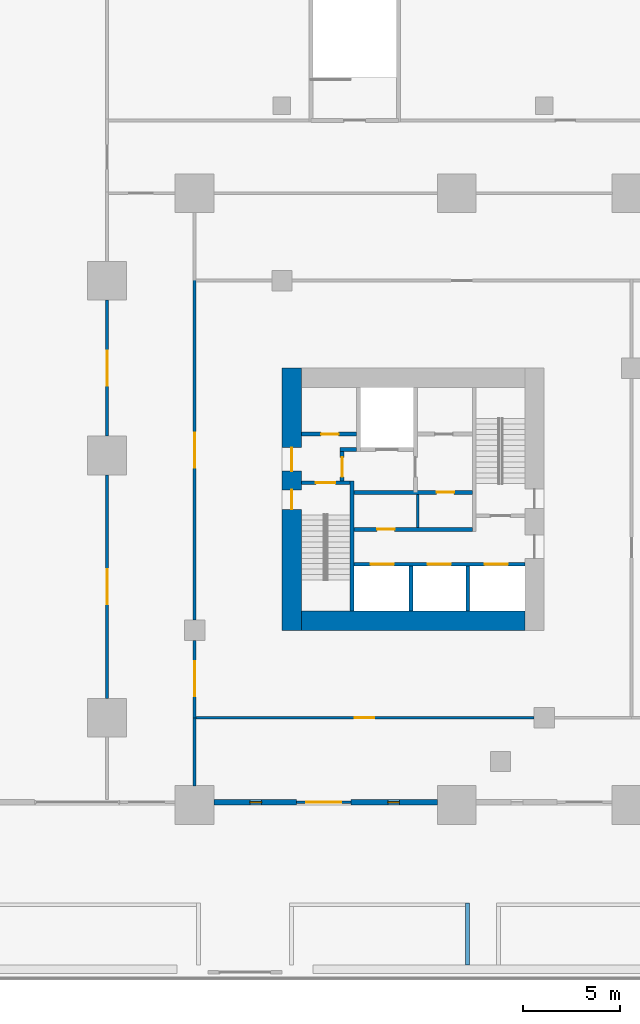
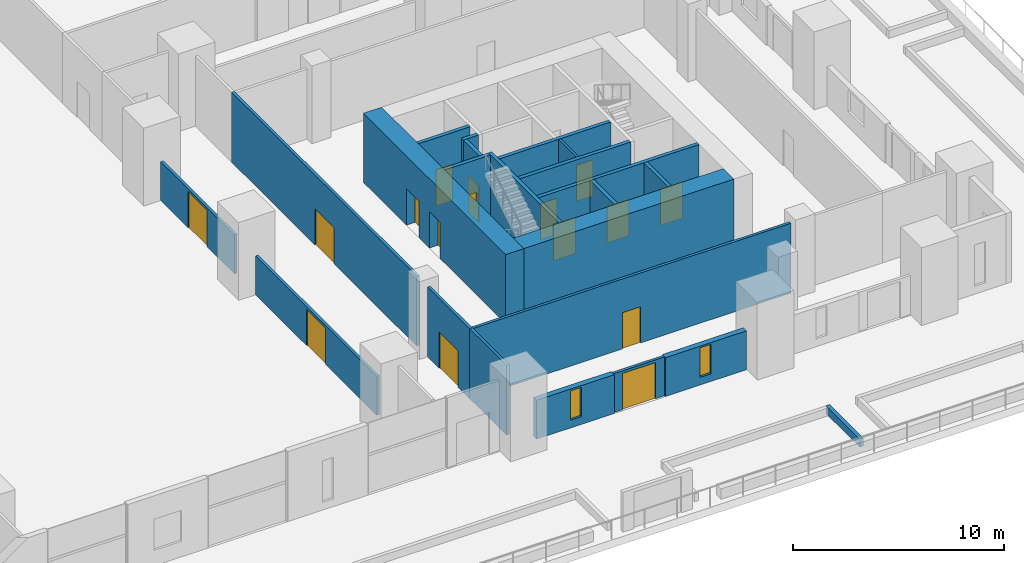
# One storey, part 21 of 26: 23 walls, 16 doors, 2 windows, 18 openings.
"""IFC4 building model written with IfcOpenShell, lengths in metres."""

from ifc_helpers import new_model, si_unit, direction, frame, frame_2d, origin, place, context, subcontext, project, spatial, rectangle, extrude, material, layer, layer_set, type_object, element, fill, save


model = new_model("IFC4")

# Units and contexts
model_context = context("Model", 3, precision=1e-05, world=origin(), true_north=direction((0.0, 1.0)))
body_context = subcontext(model_context, "Body", "Model", "MODEL_VIEW")
ifc_project = project(units=[si_unit("LENGTHUNIT", "METRE"), si_unit("AREAUNIT", "SQUARE_METRE"), si_unit("VOLUMEUNIT", "CUBIC_METRE"), si_unit("PLANEANGLEUNIT", "RADIAN"), si_unit("MASSUNIT", "GRAM", prefix="KILO")], contexts=[model_context])

# Site, building, storey
site_placement = place(None, origin())
site = spatial("IfcSite", under=ifc_project, at=site_placement, CompositionType="ELEMENT")
building_placement = place(site_placement, origin())
building = spatial("IfcBuilding", under=site, at=building_placement, Name="Altepetl Exchange Towers", CompositionType="ELEMENT")
storey_placement = place(building_placement, frame((0.0, 0.0, 16.5)))
storey = spatial("IfcBuildingStorey", under=building, at=storey_placement, Name="L03 Podium terrace", CompositionType="ELEMENT", Elevation=16.5)

# Wall
ifc_material_1 = material(Name="Concrete C70/85", Category="concrete")
ifc_layer_1 = layer(ifc_material_1, 1.0)
ifc_layer_set_1 = layer_set([ifc_layer_1], Name="Concrete C70/85")
wall_type_1 = type_object("IfcWallType", Name="Core wall 1000 reinforced concrete", PredefinedType="SHEAR", material=ifc_layer_set_1)
wall_1_placement = place(storey_placement, frame((104.5, 36.5, 0.0)))
element("IfcWall", 1, at=wall_1_placement, inside=storey, type_object=wall_type_1, Name="wall:B:L03:K-coreS", PredefinedType="SHEAR", context=body_context, shape_type="SweptSolid", body=[
    extrude(rectangle(XDim=11.5, YDim=1.0, at=frame_2d((5.75, 0.0))), origin(), (0.0, 0.0, 1.0), 4.0),
])

# Wall, openings, doors
wall_2_placement = place(storey_placement, frame((104.0, 36.0, 0.0), z_axis=(0.0, 0.0, 1.0), x_axis=(0.0, 1.0, 0.0)))
wall_2 = element("IfcWall", 2, at=wall_2_placement, inside=storey, type_object=wall_type_1, Name="wall:B:L03:K-coreW", PredefinedType="SHEAR", context=body_context, shape_type="SweptSolid", body=[
    extrude(rectangle(XDim=13.5, YDim=1.0, at=frame_2d((6.75, 0.0))), origin(), (0.0, 0.0, 1.0), 4.0),
])
opening_1_placement = place(wall_2_placement, frame((8.199951171875, 0.0, 0.0)))
opening_1 = element("IfcOpeningElement", 3, at=opening_1_placement, cuts=wall_2, Name="Opening L03.B60", PredefinedType="OPENING", context=body_context, shape_type="SweptSolid", body=[
    extrude(rectangle(XDim=1.199951171875, YDim=2.10009765625, at=frame_2d((0.60009765625, 1.050048828125))), frame((0.0, 0.510009765625, 0.0), z_axis=(0.0, -1.0, 0.0), x_axis=(1.0, 0.0, 0.0)), (0.0, 0.0, 1.0), 1.02001953125),
])
opening_2_placement = place(wall_2_placement, frame((6.22509765625, 0.0, 0.0)))
opening_2 = element("IfcOpeningElement", 4, at=opening_2_placement, cuts=wall_2, Name="Opening L03.B63", PredefinedType="OPENING", context=body_context, shape_type="SweptSolid", body=[
    extrude(rectangle(XDim=1.0, YDim=2.10009765625, at=frame_2d((0.5, 1.050048828125))), frame((0.0, 0.510009765625, 0.0), z_axis=(0.0, -1.0, 0.0), x_axis=(1.0, 0.0, 0.0)), (0.0, 0.0, 1.0), 1.02001953125),
])
ifc_material_2 = material(Name="Steel and timber fire door", Category="steel")
door_type_1 = type_object("IfcDoorType", Name="Fire door 1000 x 2100 stair and lobby", OperationType="SINGLE_SWING_LEFT", PredefinedType="DOOR", material=ifc_material_2)
door_1_placement = place(opening_2_placement, frame((1.0, 0.0, 0.0), x_axis=(-1.0, 0.0, 0.0)))
door_1 = element("IfcDoor", 5, at=door_1_placement, inside=storey, type_object=door_type_1, Name="door:B:L03:K-dS1x", OperationType="SINGLE_SWING_RIGHT", OverallHeight=2.10009765625, OverallWidth=1.0, PredefinedType="DOOR", context=body_context, shape_type="SweptSolid", body=[
    extrude(rectangle(XDim=1.0, YDim=2.10009765625, at=frame_2d((0.5, 1.050048828125))), frame((0.0, 0.02490234375, 0.0), z_axis=(0.0, -1.0, 0.0), x_axis=(1.0, 0.0, 0.0)), (0.0, 0.0, 1.0), 0.050048828125),
])
fill(opening_2, door_1)
door_type_2 = type_object("IfcDoorType", Name="Fire door 1200 x 2100 lobby entry", OperationType="SINGLE_SWING_LEFT", PredefinedType="DOOR", material=ifc_material_2)
door_2_placement = place(opening_1_placement, frame((1.199951171875, 0.0, 0.0), x_axis=(-1.0, 0.0, 0.0)))
door_2 = element("IfcDoor", 6, at=door_2_placement, inside=storey, type_object=door_type_2, Name="door:B:L03:K-dLNW", OperationType="SINGLE_SWING_RIGHT", OverallHeight=2.10009765625, OverallWidth=1.199951171875, PredefinedType="DOOR", context=body_context, shape_type="SweptSolid", body=[
    extrude(rectangle(XDim=1.199951171875, YDim=2.10009765625, at=frame_2d((0.60009765625, 1.050048828125))), frame((0.0, 0.02490234375, 0.0), z_axis=(0.0, -1.0, 0.0), x_axis=(1.0, 0.0, 0.0)), (0.0, 0.0, 1.0), 0.050048828125),
])
fill(opening_1, door_2)

# Wall, opening, door
ifc_material_3 = material(Name="Aluminium composite cladding", Category="aluminium")
ifc_layer_2 = layer(ifc_material_3, 0.14990234375)
ifc_layer_set_2 = layer_set([ifc_layer_2], Name="Aluminium composite cladding")
wall_type_2 = type_object("IfcWallType", Name="Infill wall 150 aluminium panel", PredefinedType="SOLIDWALL", material=ifc_layer_set_2)
wall_3_placement = place(storey_placement, frame((104.25, 27.14990234375, 0.0)))
wall_3 = element("IfcWall", 7, at=wall_3_placement, inside=storey, type_object=wall_type_2, Name="Door bay wall", PredefinedType="SOLIDWALL", context=body_context, shape_type="SweptSolid", body=[
    extrude(rectangle(XDim=2.800048828125, YDim=0.14990234375, at=frame_2d((1.39990234375, 0.0))), origin(), (0.0, 0.0, 1.0), 2.25),
])
opening_3_placement = place(wall_3_placement, frame((0.5, 0.0, 0.0)))
opening_3 = element("IfcOpeningElement", 8, at=opening_3_placement, cuts=wall_3, Name="Opening L03.E12", PredefinedType="OPENING", context=body_context, shape_type="SweptSolid", body=[
    extrude(rectangle(XDim=1.800048828125, YDim=2.10009765625, at=frame_2d((0.89990234375, 1.050048828125))), frame((0.0, 0.0849609375, 0.0), z_axis=(0.0, -1.0, 0.0), x_axis=(1.0, 0.0, 0.0)), (0.0, 0.0, 1.0), 0.169921875),
])
ifc_material_4 = material(Name="Aluminium 6063-T6 and glass", Category="aluminium")
door_type_3 = type_object("IfcDoorType", Name="Glazed door pair 1800x2100", OperationType="DOUBLE_DOOR_DOUBLE_SWING", PredefinedType="NOTDEFINED", material=ifc_material_4)
door_3_placement = place(opening_3_placement, frame((1.800048828125, 0.0, 0.0), x_axis=(-1.0, 0.0, 0.0)))
door_3 = element("IfcDoor", 9, at=door_3_placement, inside=storey, type_object=door_type_3, Name="Terrace door", OperationType="DOUBLE_DOOR_DOUBLE_SWING", OverallHeight=2.10009765625, OverallWidth=1.800048828125, PredefinedType="NOTDEFINED", context=body_context, shape_type="SweptSolid", body=[
    extrude(rectangle(XDim=1.800048828125, YDim=2.10009765625, at=frame_2d((0.89990234375, 1.050048828125))), frame((0.0, 0.02490234375, 0.0), z_axis=(0.0, -1.0, 0.0), x_axis=(1.0, 0.0, 0.0)), (0.0, 0.0, 1.0), 0.050048828125),
])
fill(opening_3, door_3)

# Wall
ifc_material_5 = material(Name="Concrete blockwork", Category="masonry")
ifc_layer_3 = layer(ifc_material_5, 0.199951171875)
ifc_layer_set_3 = layer_set([ifc_layer_3], Name="Concrete blockwork")
wall_type_3 = type_object("IfcWallType", Name="Lobby wall 200 blockwork", PredefinedType="PARTITIONING", material=ifc_layer_set_3)
wall_4_placement = place(storey_placement, frame((106.5, 45.300048828125, 0.0)))
element("IfcWall", 10, at=wall_4_placement, inside=storey, type_object=wall_type_3, Name="wall:B:L03:K-ffNw", PredefinedType="PARTITIONING", context=body_context, shape_type="SweptSolid", body=[
    extrude(rectangle(XDim=0.833251953125, YDim=0.199951171875, at=frame_2d((0.41650390625, 0.0))), origin(), (0.0, 0.0, 1.0), 4.0),
])

# Wall, opening, door
wall_5_placement = place(storey_placement, frame((106.60009765625, 43.699951171875, 0.0), z_axis=(0.0, 0.0, 1.0), x_axis=(0.0, 1.0, 0.0)))
wall_5 = element("IfcWall", 11, at=wall_5_placement, inside=storey, type_object=wall_type_3, Name="wall:B:L03:K-ffW", PredefinedType="PARTITIONING", context=body_context, shape_type="SweptSolid", body=[
    extrude(rectangle(XDim=1.5, YDim=0.199951171875, at=frame_2d((0.75, 0.0))), origin(), (0.0, 0.0, 1.0), 4.0),
])
opening_4_placement = place(wall_5_placement, frame((0.199951171875, 0.0, 0.0)))
opening_4 = element("IfcOpeningElement", 12, at=opening_4_placement, cuts=wall_5, Name="Opening L03.B67", PredefinedType="OPENING", context=body_context, shape_type="SweptSolid", body=[
    extrude(rectangle(XDim=1.0, YDim=2.10009765625, at=frame_2d((0.5, 1.050048828125))), frame((0.0, 0.10986328125, 0.0), z_axis=(0.0, -1.0, 0.0), x_axis=(1.0, 0.0, 0.0)), (0.0, 0.0, 1.0), 0.219970703125),
])
door_4_placement = place(opening_4_placement, frame((1.0, 0.0, 0.0), x_axis=(-1.0, 0.0, 0.0)))
door_4 = element("IfcDoor", 13, at=door_4_placement, inside=storey, type_object=door_type_1, Name="door:B:L03:K-dffW", OperationType="SINGLE_SWING_LEFT", OverallHeight=2.10009765625, OverallWidth=1.0, PredefinedType="DOOR", context=body_context, shape_type="SweptSolid", body=[
    extrude(rectangle(XDim=1.0, YDim=2.10009765625, at=frame_2d((0.5, 1.050048828125))), frame((0.0, 0.02490234375, 0.0), z_axis=(0.0, -1.0, 0.0), x_axis=(1.0, 0.0, 0.0)), (0.0, 0.0, 1.0), 0.050048828125),
])
fill(opening_4, door_4)

wall_6_placement = place(storey_placement, frame((107.199951171875, 43.10009765625, 0.0)))
wall_6 = element("IfcWall", 14, at=wall_6_placement, inside=storey, type_object=wall_type_3, Name="wall:B:L03:K-zoneN", PredefinedType="PARTITIONING", context=body_context, shape_type="SweptSolid", body=[
    extrude(rectangle(XDim=6.10009765625, YDim=0.199951171875, at=frame_2d((3.050048828125, 0.0))), origin(), (0.0, 0.0, 1.0), 4.0),
])
opening_5_placement = place(wall_6_placement, frame((4.258544921875, 0.0, 0.0)))
opening_5 = element("IfcOpeningElement", 15, at=opening_5_placement, cuts=wall_6, Name="Opening L03.B71", PredefinedType="OPENING", context=body_context, shape_type="SweptSolid", body=[
    extrude(rectangle(XDim=0.89990234375, YDim=2.10009765625, at=frame_2d((0.449951171875, 1.050048828125))), frame((0.0, 0.10986328125, 0.0), z_axis=(0.0, -1.0, 0.0), x_axis=(1.0, 0.0, 0.0)), (0.0, 0.0, 1.0), 0.219970703125),
])
door_type_4 = type_object("IfcDoorType", Name="Fire door 900 x 2100 service room", OperationType="SINGLE_SWING_LEFT", PredefinedType="DOOR", material=ifc_material_2)
door_5_placement = place(opening_5_placement, frame((0.89990234375, 0.0, 0.0), x_axis=(-1.0, 0.0, 0.0)))
door_5 = element("IfcDoor", 16, at=door_5_placement, inside=storey, type_object=door_type_4, Name="door:B:L03:K-dz2", OperationType="SINGLE_SWING_LEFT", OverallHeight=2.10009765625, OverallWidth=0.89990234375, PredefinedType="DOOR", context=body_context, shape_type="SweptSolid", body=[
    extrude(rectangle(XDim=0.89990234375, YDim=2.10009765625, at=frame_2d((0.449951171875, 1.050048828125))), frame((0.0, 0.02490234375, 0.0), z_axis=(0.0, -1.0, 0.0), x_axis=(1.0, 0.0, 0.0)), (0.0, 0.0, 1.0), 0.050048828125),
])
fill(opening_5, door_5)

wall_7_placement = place(storey_placement, frame((107.199951171875, 41.199951171875, 0.0)))
wall_7 = element("IfcWall", 17, at=wall_7_placement, inside=storey, type_object=wall_type_3, Name="wall:B:L03:K-zoneS", PredefinedType="PARTITIONING", context=body_context, shape_type="SweptSolid", body=[
    extrude(rectangle(XDim=6.10009765625, YDim=0.199951171875, at=frame_2d((3.050048828125, 0.0))), origin(), (0.0, 0.0, 1.0), 4.0),
])
opening_6_placement = place(wall_7_placement, frame((1.199951171875, 0.0, 0.0)))
opening_6 = element("IfcOpeningElement", 18, at=opening_6_placement, cuts=wall_7, Name="Opening L03.B70", PredefinedType="OPENING", context=body_context, shape_type="SweptSolid", body=[
    extrude(rectangle(XDim=0.89990234375, YDim=2.10009765625, at=frame_2d((0.449951171875, 1.050048828125))), frame((0.0, 0.10986328125, 0.0), z_axis=(0.0, -1.0, 0.0), x_axis=(1.0, 0.0, 0.0)), (0.0, 0.0, 1.0), 0.219970703125),
])
door_6_placement = place(opening_6_placement, origin())
door_6 = element("IfcDoor", 19, at=door_6_placement, inside=storey, type_object=door_type_4, Name="door:B:L03:K-dz1", OperationType="SINGLE_SWING_RIGHT", OverallHeight=2.10009765625, OverallWidth=0.89990234375, PredefinedType="DOOR", context=body_context, shape_type="SweptSolid", body=[
    extrude(rectangle(XDim=0.89990234375, YDim=2.10009765625, at=frame_2d((0.449951171875, 1.050048828125))), frame((0.0, 0.02490234375, 0.0), z_axis=(0.0, -1.0, 0.0), x_axis=(1.0, 0.0, 0.0)), (0.0, 0.0, 1.0), 0.050048828125),
])
fill(opening_6, door_6)

# Walls
ifc_material_6 = material(Name="Gypsum board on steel studs", Category="steel")
ifc_layer_4 = layer(ifc_material_6, 0.125)
ifc_layer_set_4 = layer_set([ifc_layer_4], Name="Gypsum board on steel studs")
wall_type_4 = type_object("IfcWallType", Name="Partition 125 gypsum board on steel studs", PredefinedType="PARTITIONING", material=ifc_layer_set_4)
wall_8_placement = place(storey_placement, frame((110.5, 41.300048828125, 0.0), z_axis=(0.0, 0.0, 1.0), x_axis=(0.0, 1.0, 0.0)))
element("IfcWall", 20, at=wall_8_placement, inside=storey, type_object=wall_type_4, Name="wall:B:L03:K-zp1", PredefinedType="PARTITIONING", context=body_context, shape_type="SweptSolid", body=[
    extrude(rectangle(XDim=1.699951171875, YDim=0.125, at=frame_2d((0.85009765625, 0.0))), origin(), (0.0, 0.0, 1.0), 4.0),
])
ifc_material_7 = material(Name="Reinforced concrete C35/45", Category="concrete")
ifc_layer_5 = layer(ifc_material_7, 0.199951171875)
ifc_layer_set_5 = layer_set([ifc_layer_5], Name="Reinforced concrete C35/45")
wall_type_5 = type_object("IfcWallType", Name="Planting bed curb 200", PredefinedType="SOLIDWALL", material=ifc_layer_set_5)
wall_9_placement = place(storey_placement, frame((113.041748046875, 18.77490234375, 0.0), z_axis=(0.0, 0.0, 1.0), x_axis=(0.0, 1.0, 0.0)))
element("IfcWall", 21, at=wall_9_placement, inside=storey, type_object=wall_type_5, Name="wall:P:L03:CB01e", PredefinedType="SOLIDWALL", context=body_context, shape_type="SweptSolid", body=[
    extrude(rectangle(XDim=3.2001953125, YDim=0.199951171875, at=frame_2d((1.60009765625, 0.0))), origin(), (0.0, 0.0, 1.0), 0.449951171875),
])

# Wall, opening, door
ifc_layer_6 = layer(ifc_material_6, 0.14990234375)
ifc_layer_set_6 = layer_set([ifc_layer_6], Name="Gypsum board on steel studs")
wall_type_6 = type_object("IfcWallType", Name="Podium partition 150", PredefinedType="PARTITIONING", material=ifc_layer_set_6)
wall_10_placement = place(storey_placement, frame((94.5, 32.4951171875, 0.0), z_axis=(0.0, 0.0, 1.0), x_axis=(0.0, 1.0, 0.0)))
wall_10 = element("IfcWall", 22, at=wall_10_placement, inside=storey, type_object=wall_type_6, Name="wall:P:L03:P007", PredefinedType="PARTITIONING", context=body_context, shape_type="SweptSolid", body=[
    extrude(rectangle(XDim=11.509765625, YDim=0.14990234375, at=frame_2d((5.7548828125, 0.0))), origin(), (0.0, 0.0, 1.0), 2.25),
])
opening_7_placement = place(wall_10_placement, frame((4.85009765625, 0.0, 0.0)))
opening_7 = element("IfcOpeningElement", 23, at=opening_7_placement, cuts=wall_10, Name="Opening L03.P014", PredefinedType="OPENING", context=body_context, shape_type="SweptSolid", body=[
    extrude(rectangle(XDim=1.800048828125, YDim=2.10009765625, at=frame_2d((0.89990234375, 1.050048828125))), frame((0.0, 0.0849609375, 0.0), z_axis=(0.0, -1.0, 0.0), x_axis=(1.0, 0.0, 0.0)), (0.0, 0.0, 1.0), 0.169921875),
])
ifc_material_8 = material(Name="Glazed aluminium and steel", Category="steel")
door_type_5 = type_object("IfcDoorType", Name="Podium fire door 1800 x 2100 double leaf", OperationType="DOUBLE_DOOR_SINGLE_SWING", PredefinedType="DOOR", material=ifc_material_8)
door_7_placement = place(opening_7_placement, frame((1.800048828125, 0.0, 0.0), x_axis=(-1.0, 0.0, 0.0)))
door_7 = element("IfcDoor", 24, at=door_7_placement, inside=storey, type_object=door_type_5, Name="door:P:L03:014", OperationType="DOUBLE_DOOR_SINGLE_SWING", OverallHeight=2.10009765625, OverallWidth=1.800048828125, PredefinedType="DOOR", context=body_context, shape_type="SweptSolid", body=[
    extrude(rectangle(XDim=1.800048828125, YDim=2.10009765625, at=frame_2d((0.89990234375, 1.050048828125))), frame((0.0, 0.02490234375, 0.0), z_axis=(0.0, -1.0, 0.0), x_axis=(1.0, 0.0, 0.0)), (0.0, 0.0, 1.0), 0.050048828125),
])
fill(opening_7, door_7)

wall_11_placement = place(storey_placement, frame((94.5, 45.9951171875, 0.0), z_axis=(0.0, 0.0, 1.0), x_axis=(0.0, 1.0, 0.0)))
wall_11 = element("IfcWall", 25, at=wall_11_placement, inside=storey, type_object=wall_type_6, Name="wall:P:L03:P008", PredefinedType="PARTITIONING", context=body_context, shape_type="SweptSolid", body=[
    extrude(rectangle(XDim=7.009765625, YDim=0.14990234375, at=frame_2d((3.5048828125, 0.0))), origin(), (0.0, 0.0, 1.0), 2.25),
])
opening_8_placement = place(wall_11_placement, frame((2.60009765625, 0.0, 0.0)))
opening_8 = element("IfcOpeningElement", 26, at=opening_8_placement, cuts=wall_11, Name="Opening L03.P015", PredefinedType="OPENING", context=body_context, shape_type="SweptSolid", body=[
    extrude(rectangle(XDim=1.800048828125, YDim=2.10009765625, at=frame_2d((0.89990234375, 1.050048828125))), frame((0.0, 0.0849609375, 0.0), z_axis=(0.0, -1.0, 0.0), x_axis=(1.0, 0.0, 0.0)), (0.0, 0.0, 1.0), 0.169921875),
])
door_8_placement = place(opening_8_placement, frame((1.800048828125, 0.0, 0.0), x_axis=(-1.0, 0.0, 0.0)))
door_8 = element("IfcDoor", 27, at=door_8_placement, inside=storey, type_object=door_type_5, Name="door:P:L03:015", OperationType="DOUBLE_DOOR_SINGLE_SWING", OverallHeight=2.10009765625, OverallWidth=1.800048828125, PredefinedType="DOOR", context=body_context, shape_type="SweptSolid", body=[
    extrude(rectangle(XDim=1.800048828125, YDim=2.10009765625, at=frame_2d((0.89990234375, 1.050048828125))), frame((0.0, 0.02490234375, 0.0), z_axis=(0.0, -1.0, 0.0), x_axis=(1.0, 0.0, 0.0)), (0.0, 0.0, 1.0), 0.050048828125),
])
fill(opening_8, door_8)

wall_12_placement = place(storey_placement, frame((99.0, 31.425048828125, 0.0), z_axis=(0.0, 0.0, 1.0), x_axis=(0.0, 1.0, 0.0)))
wall_12 = element("IfcWall", 28, at=wall_12_placement, inside=storey, type_object=wall_type_6, Name="wall:P:L03:P033", PredefinedType="PARTITIONING", context=body_context, shape_type="SweptSolid", body=[
    extrude(rectangle(XDim=4.054931640625, YDim=0.14990234375, at=frame_2d((2.02734375, 0.0))), origin(), (0.0, 0.0, 1.0), 4.050048828125),
])
opening_9_placement = place(wall_12_placement, frame((1.175048828125, 0.0, 0.0)))
opening_9 = element("IfcOpeningElement", 29, at=opening_9_placement, cuts=wall_12, Name="Opening L03.P020", PredefinedType="OPENING", context=body_context, shape_type="SweptSolid", body=[
    extrude(rectangle(XDim=1.800048828125, YDim=2.10009765625, at=frame_2d((0.89990234375, 1.050048828125))), frame((0.0, 0.0849609375, 0.0), z_axis=(0.0, -1.0, 0.0), x_axis=(1.0, 0.0, 0.0)), (0.0, 0.0, 1.0), 0.169921875),
])
door_9_placement = place(opening_9_placement, origin())
door_9 = element("IfcDoor", 30, at=door_9_placement, inside=storey, type_object=door_type_5, Name="door:P:L03:020", OperationType="DOUBLE_DOOR_SINGLE_SWING", OverallHeight=2.10009765625, OverallWidth=1.800048828125, PredefinedType="DOOR", context=body_context, shape_type="SweptSolid", body=[
    extrude(rectangle(XDim=1.800048828125, YDim=2.10009765625, at=frame_2d((0.89990234375, 1.050048828125))), frame((0.0, 0.02490234375, 0.0), z_axis=(0.0, -1.0, 0.0), x_axis=(1.0, 0.0, 0.0)), (0.0, 0.0, 1.0), 0.050048828125),
])
fill(opening_9, door_9)

wall_13_placement = place(storey_placement, frame((99.0, 36.52001953125, 0.0), z_axis=(0.0, 0.0, 1.0), x_axis=(0.0, 1.0, 0.0)))
wall_13 = element("IfcWall", 31, at=wall_13_placement, inside=storey, type_object=wall_type_6, Name="wall:P:L03:P034", PredefinedType="PARTITIONING", context=body_context, shape_type="SweptSolid", body=[
    extrude(rectangle(XDim=17.554931640625, YDim=0.14990234375, at=frame_2d((8.77734375, 0.0))), origin(), (0.0, 0.0, 1.0), 4.050048828125),
])
opening_10_placement = place(wall_13_placement, frame((7.85009765625, 0.0, 0.0)))
opening_10 = element("IfcOpeningElement", 32, at=opening_10_placement, cuts=wall_13, Name="Opening L03.P019", PredefinedType="OPENING", context=body_context, shape_type="SweptSolid", body=[
    extrude(rectangle(XDim=1.800048828125, YDim=2.10009765625, at=frame_2d((0.89990234375, 1.050048828125))), frame((0.0, 0.0849609375, 0.0), z_axis=(0.0, -1.0, 0.0), x_axis=(1.0, 0.0, 0.0)), (0.0, 0.0, 1.0), 0.169921875),
])
door_10_placement = place(opening_10_placement, origin())
door_10 = element("IfcDoor", 33, at=door_10_placement, inside=storey, type_object=door_type_5, Name="door:P:L03:019", OperationType="DOUBLE_DOOR_SINGLE_SWING", OverallHeight=2.10009765625, OverallWidth=1.800048828125, PredefinedType="DOOR", context=body_context, shape_type="SweptSolid", body=[
    extrude(rectangle(XDim=1.800048828125, YDim=2.10009765625, at=frame_2d((0.89990234375, 1.050048828125))), frame((0.0, 0.02490234375, 0.0), z_axis=(0.0, -1.0, 0.0), x_axis=(1.0, 0.0, 0.0)), (0.0, 0.0, 1.0), 0.050048828125),
])
fill(opening_10, door_10)

# Wall
wall_14_placement = place(storey_placement, frame((99.0, 27.9951171875, 0.0), z_axis=(0.0, 0.0, 1.0), x_axis=(0.0, 1.0, 0.0)))
element("IfcWall", 34, at=wall_14_placement, inside=storey, type_object=wall_type_6, Name="wall:P:L03:P035", PredefinedType="PARTITIONING", context=body_context, shape_type="SweptSolid", body=[
    extrude(rectangle(XDim=3.5048828125, YDim=0.14990234375, at=frame_2d((1.75244140625, 0.0))), origin(), (0.0, 0.0, 1.0), 4.050048828125),
])

# Wall, opening, door
wall_15_placement = place(storey_placement, frame((99.074951171875, 31.5, 0.0)))
wall_15 = element("IfcWall", 35, at=wall_15_placement, inside=storey, type_object=wall_type_6, Name="wall:P:L03:P038", PredefinedType="PARTITIONING", context=body_context, shape_type="SweptSolid", body=[
    extrude(rectangle(XDim=17.405029296875, YDim=0.14990234375, at=frame_2d((8.70263671875, 0.0))), origin(), (0.0, 0.0, 1.0), 4.050048828125),
])
opening_11_placement = place(wall_15_placement, frame((8.175048828125, 0.0, 0.0)))
opening_11 = element("IfcOpeningElement", 36, at=opening_11_placement, cuts=wall_15, Name="Opening L03.P007", PredefinedType="OPENING", context=body_context, shape_type="SweptSolid", body=[
    extrude(rectangle(XDim=1.0, YDim=2.10009765625, at=frame_2d((0.5, 1.050048828125))), frame((0.0, 0.0849609375, 0.0), z_axis=(0.0, -1.0, 0.0), x_axis=(1.0, 0.0, 0.0)), (0.0, 0.0, 1.0), 0.169921875),
])
door_type_6 = type_object("IfcDoorType", Name="Podium fire door 1000 x 2100 single leaf", OperationType="SINGLE_SWING_LEFT", PredefinedType="DOOR", material=ifc_material_2)
door_11_placement = place(opening_11_placement, frame((1.0, 0.0, 0.0), x_axis=(-1.0, 0.0, 0.0)))
door_11 = element("IfcDoor", 37, at=door_11_placement, inside=storey, type_object=door_type_6, Name="door:P:L03:007", OperationType="SINGLE_SWING_LEFT", OverallHeight=2.10009765625, OverallWidth=1.0, PredefinedType="DOOR", context=body_context, shape_type="SweptSolid", body=[
    extrude(rectangle(XDim=1.0, YDim=2.10009765625, at=frame_2d((0.5, 1.050048828125))), frame((0.0, 0.02490234375, 0.0), z_axis=(0.0, -1.0, 0.0), x_axis=(1.0, 0.0, 0.0)), (0.0, 0.0, 1.0), 0.050048828125),
])
fill(opening_11, door_11)

# Walls
ifc_material_9 = material(Name="Concrete C40/50", Category="concrete")
ifc_layer_7 = layer(ifc_material_9, 0.199951171875)
ifc_layer_set_7 = layer_set([ifc_layer_7], Name="Concrete C40/50")
wall_type_7 = type_object("IfcWallType", Name="Shaft wall 200 reinforced concrete", PredefinedType="SHEAR", material=ifc_layer_set_7)
for number, where, z_axis, x_axis, name in (
    (38, (110.13330078125, 37.0, 0.0), (0.0, 0.0, 1.0), (0.0, 1.0, 0.0), "wall:B:L03:K-divS1"),
    (39, (113.066650390625, 37.0, 0.0), (0.0, 0.0, 1.0), (0.0, 1.0, 0.0), "wall:B:L03:K-divS2"),
):
    element("IfcWall", number, at=place(storey_placement, frame(where, z_axis=z_axis, x_axis=x_axis)), inside=storey, type_object=wall_type_7, Name=name, PredefinedType="SHEAR", context=body_context, shape_type="SweptSolid", body=[
        extrude(rectangle(XDim=2.300048828125, YDim=0.199951171875, at=frame_2d((1.14990234375, 0.0))), origin(), (0.0, 0.0, 1.0), 4.0),
    ])

# Wall, opening, door
wall_16_placement = place(storey_placement, frame((104.5, 46.10009765625, 0.0)))
wall_16 = element("IfcWall", 40, at=wall_16_placement, inside=storey, type_object=wall_type_7, Name="wall:B:L03:K-frontNa", PredefinedType="SHEAR", context=body_context, shape_type="SweptSolid", body=[
    extrude(rectangle(XDim=2.833251953125, YDim=0.199951171875, at=frame_2d((1.41650390625, 0.0))), origin(), (0.0, 0.0, 1.0), 4.0),
])
opening_12_placement = place(wall_16_placement, frame((1.0166015625, 0.0, 0.0)))
opening_12 = element("IfcOpeningElement", 41, at=opening_12_placement, cuts=wall_16, Name="Opening L03.B68", PredefinedType="OPENING", context=body_context, shape_type="SweptSolid", body=[
    extrude(rectangle(XDim=0.89990234375, YDim=2.10009765625, at=frame_2d((0.449951171875, 1.050048828125))), frame((0.0, 0.10986328125, 0.0), z_axis=(0.0, -1.0, 0.0), x_axis=(1.0, 0.0, 0.0)), (0.0, 0.0, 1.0), 0.219970703125),
])
door_12_placement = place(opening_12_placement, origin())
door_12 = element("IfcDoor", 42, at=door_12_placement, inside=storey, type_object=door_type_4, Name="door:B:L03:K-dslotN0", OperationType="SINGLE_SWING_RIGHT", OverallHeight=2.10009765625, OverallWidth=0.89990234375, PredefinedType="DOOR", context=body_context, shape_type="SweptSolid", body=[
    extrude(rectangle(XDim=0.89990234375, YDim=2.10009765625, at=frame_2d((0.449951171875, 1.050048828125))), frame((0.0, 0.02490234375, 0.0), z_axis=(0.0, -1.0, 0.0), x_axis=(1.0, 0.0, 0.0)), (0.0, 0.0, 1.0), 0.050048828125),
])
fill(opening_12, door_12)

# Wall, openings, doors
wall_17_placement = place(storey_placement, frame((107.199951171875, 39.39990234375, 0.0)))
wall_17 = element("IfcWall", 43, at=wall_17_placement, inside=storey, type_object=wall_type_7, Name="wall:B:L03:K-frontS", PredefinedType="SHEAR", context=body_context, shape_type="SweptSolid", body=[
    extrude(rectangle(XDim=8.800048828125, YDim=0.199951171875, at=frame_2d((4.39990234375, 0.0))), origin(), (0.0, 0.0, 1.0), 4.0),
])
opening_13_placement = place(wall_17_placement, frame((0.86669921875, 0.0, 0.0)))
opening_13 = element("IfcOpeningElement", 44, at=opening_13_placement, cuts=wall_17, Name="Opening L03.B73", PredefinedType="OPENING", context=body_context, shape_type="SweptSolid", body=[
    extrude(rectangle(XDim=1.199951171875, YDim=2.10009765625, at=frame_2d((0.60009765625, 1.050048828125))), frame((0.0, 0.10986328125, 0.0), z_axis=(0.0, -1.0, 0.0), x_axis=(1.0, 0.0, 0.0)), (0.0, 0.0, 1.0), 0.219970703125),
])
opening_14_placement = place(wall_17_placement, frame((3.800048828125, 0.0, 0.0)))
opening_14 = element("IfcOpeningElement", 45, at=opening_14_placement, cuts=wall_17, Name="Opening L03.B74", PredefinedType="OPENING", context=body_context, shape_type="SweptSolid", body=[
    extrude(rectangle(XDim=1.199951171875, YDim=2.10009765625, at=frame_2d((0.60009765625, 1.050048828125))), frame((0.0, 0.10986328125, 0.0), z_axis=(0.0, -1.0, 0.0), x_axis=(1.0, 0.0, 0.0)), (0.0, 0.0, 1.0), 0.219970703125),
])
opening_15_placement = place(wall_17_placement, frame((6.7333984375, 0.0, 0.0)))
opening_15 = element("IfcOpeningElement", 46, at=opening_15_placement, cuts=wall_17, Name="Opening L03.B75", PredefinedType="OPENING", context=body_context, shape_type="SweptSolid", body=[
    extrude(rectangle(XDim=1.199951171875, YDim=2.10009765625, at=frame_2d((0.60009765625, 1.050048828125))), frame((0.0, 0.10986328125, 0.0), z_axis=(0.0, -1.0, 0.0), x_axis=(1.0, 0.0, 0.0)), (0.0, 0.0, 1.0), 0.219970703125),
])
ifc_material_10 = material(Name="Stainless steel", Category="steel")
door_type_7 = type_object("IfcDoorType", Name="Lift landing door 1200 x 2100", OperationType="SLIDING_TO_LEFT", PredefinedType="DOOR", material=ifc_material_10)
door_13_placement = place(opening_13_placement, origin())
door_13 = element("IfcDoor", 47, at=door_13_placement, inside=storey, type_object=door_type_7, Name="Landing door P1", OperationType="SLIDING_TO_LEFT", OverallHeight=2.10009765625, OverallWidth=1.199951171875, PredefinedType="DOOR", context=body_context, shape_type="SweptSolid", body=[
    extrude(rectangle(XDim=1.199951171875, YDim=2.10009765625, at=frame_2d((0.60009765625, 1.050048828125))), frame((0.0, 0.02490234375, 0.0), z_axis=(0.0, -1.0, 0.0), x_axis=(1.0, 0.0, 0.0)), (0.0, 0.0, 1.0), 0.050048828125),
])
fill(opening_13, door_13)
door_14_placement = place(opening_14_placement, origin())
door_14 = element("IfcDoor", 48, at=door_14_placement, inside=storey, type_object=door_type_7, Name="Landing door P2", OperationType="SLIDING_TO_LEFT", OverallHeight=2.10009765625, OverallWidth=1.199951171875, PredefinedType="DOOR", context=body_context, shape_type="SweptSolid", body=[
    extrude(rectangle(XDim=1.199951171875, YDim=2.10009765625, at=frame_2d((0.60009765625, 1.050048828125))), frame((0.0, 0.02490234375, 0.0), z_axis=(0.0, -1.0, 0.0), x_axis=(1.0, 0.0, 0.0)), (0.0, 0.0, 1.0), 0.050048828125),
])
fill(opening_14, door_14)
door_15_placement = place(opening_15_placement, origin())
door_15 = element("IfcDoor", 49, at=door_15_placement, inside=storey, type_object=door_type_7, Name="Landing door P3", OperationType="SLIDING_TO_LEFT", OverallHeight=2.10009765625, OverallWidth=1.199951171875, PredefinedType="DOOR", context=body_context, shape_type="SweptSolid", body=[
    extrude(rectangle(XDim=1.199951171875, YDim=2.10009765625, at=frame_2d((0.60009765625, 1.050048828125))), frame((0.0, 0.02490234375, 0.0), z_axis=(0.0, -1.0, 0.0), x_axis=(1.0, 0.0, 0.0)), (0.0, 0.0, 1.0), 0.050048828125),
])
fill(opening_15, door_15)

# Wall
ifc_layer_8 = layer(ifc_material_9, 0.199951171875)
ifc_layer_set_8 = layer_set([ifc_layer_8], Name="Concrete C40/50")
wall_type_8 = type_object("IfcWallType", Name="Stair wall 200 reinforced concrete", PredefinedType="SHEAR", material=ifc_layer_set_8)
wall_18_placement = place(storey_placement, frame((107.10009765625, 37.0, 0.0), z_axis=(0.0, 0.0, 1.0), x_axis=(0.0, 1.0, 0.0)))
element("IfcWall", 50, at=wall_18_placement, inside=storey, type_object=wall_type_8, Name="wall:B:L03:K-stS1E", PredefinedType="SHEAR", context=body_context, shape_type="SweptSolid", body=[
    extrude(rectangle(XDim=6.699951171875, YDim=0.199951171875, at=frame_2d((3.35009765625, 0.0))), origin(), (0.0, 0.0, 1.0), 4.0),
])

# Wall, opening, door
wall_19_placement = place(storey_placement, frame((104.5, 43.60009765625, 0.0)))
wall_19 = element("IfcWall", 51, at=wall_19_placement, inside=storey, type_object=wall_type_8, Name="wall:B:L03:K-stS1N", PredefinedType="SHEAR", context=body_context, shape_type="SweptSolid", body=[
    extrude(rectangle(XDim=2.5, YDim=0.199951171875, at=frame_2d((1.25, 0.0))), origin(), (0.0, 0.0, 1.0), 4.0),
])
opening_16_placement = place(wall_19_placement, frame((0.75, 0.0, 0.0)))
opening_16 = element("IfcOpeningElement", 52, at=opening_16_placement, cuts=wall_19, Name="Opening L03.B62", PredefinedType="OPENING", context=body_context, shape_type="SweptSolid", body=[
    extrude(rectangle(XDim=1.0, YDim=2.10009765625, at=frame_2d((0.5, 1.050048828125))), frame((0.0, 0.10986328125, 0.0), z_axis=(0.0, -1.0, 0.0), x_axis=(1.0, 0.0, 0.0)), (0.0, 0.0, 1.0), 0.219970703125),
])
door_16_placement = place(opening_16_placement, frame((1.0, 0.0, 0.0), x_axis=(-1.0, 0.0, 0.0)))
door_16 = element("IfcDoor", 53, at=door_16_placement, inside=storey, type_object=door_type_1, Name="door:B:L03:K-dS1in", OperationType="SINGLE_SWING_LEFT", OverallHeight=2.10009765625, OverallWidth=1.0, PredefinedType="DOOR", context=body_context, shape_type="SweptSolid", body=[
    extrude(rectangle(XDim=1.0, YDim=2.10009765625, at=frame_2d((0.5, 1.050048828125))), frame((0.0, 0.02490234375, 0.0), z_axis=(0.0, -1.0, 0.0), x_axis=(1.0, 0.0, 0.0)), (0.0, 0.0, 1.0), 0.050048828125),
])
fill(opening_16, door_16)

# Wall, opening, window
ifc_material_11 = material(Name="Cantera limestone cladding", Category="masonry")
ifc_layer_9 = layer(ifc_material_11, 0.300048828125)
ifc_layer_set_9 = layer_set([ifc_layer_9], Name="Cantera limestone cladding")
wall_type_9 = type_object("IfcWallType", Name="Stone wall panel 300", PredefinedType="ELEMENTEDWALL", material=ifc_layer_set_9)
wall_20_placement = place(storey_placement, frame((100.0, 27.14990234375, 0.0)))
wall_20 = element("IfcWall", 54, at=wall_20_placement, inside=storey, type_object=wall_type_9, Name="Stone wall panel", PredefinedType="ELEMENTEDWALL", context=body_context, shape_type="SweptSolid", body=[
    extrude(rectangle(XDim=4.25, YDim=0.300048828125, at=frame_2d((2.125, 0.0))), origin(), (0.0, 0.0, 1.0), 2.25),
])
opening_17_placement = place(wall_20_placement, frame((1.85009765625, 0.0, 0.449951171875)))
opening_17 = element("IfcOpeningElement", 55, at=opening_17_placement, cuts=wall_20, Name="Opening W6", PredefinedType="OPENING", context=body_context, shape_type="SweptSolid", body=[
    extrude(rectangle(XDim=0.60009765625, YDim=1.699951171875, at=frame_2d((0.300048828125, 0.85009765625))), frame((0.0, 0.16015625, 0.0), z_axis=(0.0, -1.0, 0.0), x_axis=(1.0, 0.0, 0.0)), (0.0, 0.0, 1.0), 0.320068359375),
])
window_type = type_object("IfcWindowType", Name="Tall slot window 600x1700", PartitioningType="SINGLE_PANEL", PredefinedType="WINDOW", material=ifc_material_4)
window_1_placement = place(opening_17_placement, origin())
window_1 = element("IfcWindow", 56, at=window_1_placement, inside=storey, type_object=window_type, Name="Window", OverallHeight=1.699951171875, OverallWidth=0.60009765625, PartitioningType="SINGLE_PANEL", PredefinedType="WINDOW", context=body_context, shape_type="SweptSolid", body=[
    extrude(rectangle(XDim=0.60009765625, YDim=1.699951171875, at=frame_2d((0.300048828125, 0.85009765625))), frame((0.0, 0.030029296875, 0.0), z_axis=(0.0, -1.0, 0.0), x_axis=(1.0, 0.0, 0.0)), (0.0, 0.0, 1.0), 0.06005859375),
])
fill(opening_17, window_1)

wall_21_placement = place(storey_placement, frame((107.050048828125, 27.14990234375, 0.0)))
wall_21 = element("IfcWall", 57, at=wall_21_placement, inside=storey, type_object=wall_type_9, Name="Stone wall panel", PredefinedType="ELEMENTEDWALL", context=body_context, shape_type="SweptSolid", body=[
    extrude(rectangle(XDim=4.449951171875, YDim=0.300048828125, at=frame_2d((2.22509765625, 0.0))), origin(), (0.0, 0.0, 1.0), 2.25),
])
opening_18_placement = place(wall_21_placement, frame((1.89990234375, 0.0, 0.449951171875)))
opening_18 = element("IfcOpeningElement", 58, at=opening_18_placement, cuts=wall_21, Name="Opening W6", PredefinedType="OPENING", context=body_context, shape_type="SweptSolid", body=[
    extrude(rectangle(XDim=0.60009765625, YDim=1.699951171875, at=frame_2d((0.300048828125, 0.85009765625))), frame((0.0, 0.16015625, 0.0), z_axis=(0.0, -1.0, 0.0), x_axis=(1.0, 0.0, 0.0)), (0.0, 0.0, 1.0), 0.320068359375),
])
window_2_placement = place(opening_18_placement, origin())
window_2 = element("IfcWindow", 59, at=window_2_placement, inside=storey, type_object=window_type, Name="Window", OverallHeight=1.699951171875, OverallWidth=0.60009765625, PartitioningType="SINGLE_PANEL", PredefinedType="WINDOW", context=body_context, shape_type="SweptSolid", body=[
    extrude(rectangle(XDim=0.60009765625, YDim=1.699951171875, at=frame_2d((0.300048828125, 0.85009765625))), frame((0.0, 0.030029296875, 0.0), z_axis=(0.0, -1.0, 0.0), x_axis=(1.0, 0.0, 0.0)), (0.0, 0.0, 1.0), 0.06005859375),
])
fill(opening_18, window_2)

save(model, "model.ifc")
